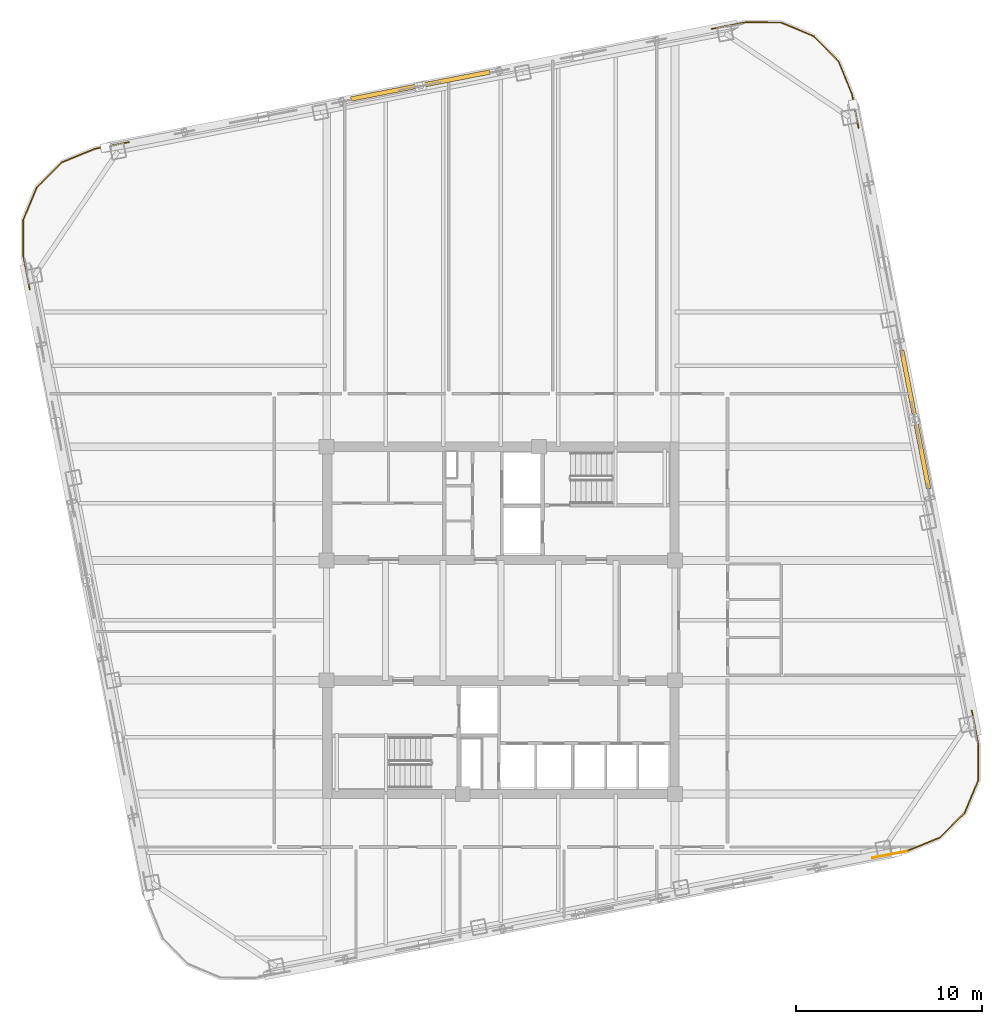
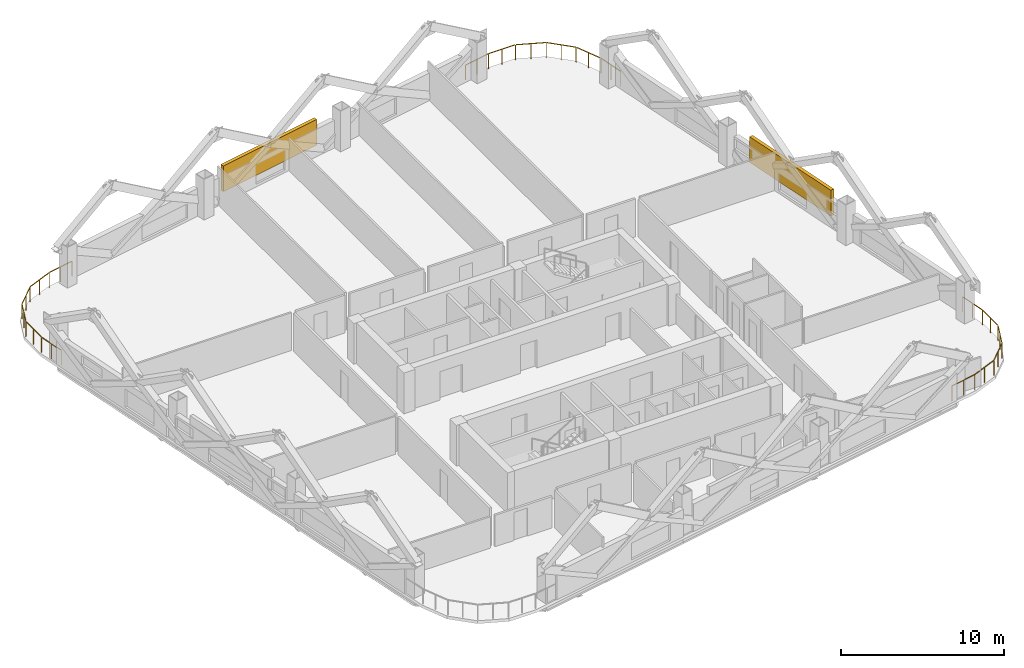
# One storey, part 10 of 10: 4 railings, 2 shading devices.
"""IFC4 building model written with IfcOpenShell, lengths in metres."""

from ifc_helpers import new_model, si_unit, direction, frame, origin, origin_2d, place, context, subcontext, project, spatial, rectangle, extrude, material, type_object, element, save


model = new_model("IFC4")

# Units and contexts
model_context = context("Model", 3, precision=1e-05, world=origin(), true_north=direction((0.0, 1.0)))
body_context = subcontext(model_context, "Body", "Model", "MODEL_VIEW")
ifc_project = project(units=[si_unit("LENGTHUNIT", "METRE"), si_unit("AREAUNIT", "SQUARE_METRE"), si_unit("VOLUMEUNIT", "CUBIC_METRE"), si_unit("PLANEANGLEUNIT", "RADIAN"), si_unit("MASSUNIT", "GRAM", prefix="KILO")], contexts=[model_context])

# Site, building, storey
site_placement = place(None, origin())
site = spatial("IfcSite", under=ifc_project, at=site_placement, CompositionType="ELEMENT")
building_placement = place(site_placement, origin())
building = spatial("IfcBuilding", under=site, at=building_placement, Name="Qhalaya Broadcast Tower", CompositionType="ELEMENT")
storey_placement = place(building_placement, frame((0.0, 0.0, 125.0)))
storey = spatial("IfcBuildingStorey", under=building, at=storey_placement, Name="L36", CompositionType="ELEMENT", Elevation=125.0)

# Railings
ifc_material_1 = material(Name="Powder-Coated Galvanised Steel", Category="steel")
railing_type = type_object("IfcRailingType", Name="Terrace, Sky-Pool & Lookout Glass Balustrade 1150", PredefinedType="BALUSTRADE", material=ifc_material_1)
railing_1_placement = place(storey_placement, frame((21.847412109375, -11.82861328125, 0.0)))
element("IfcRailing", 1, at=railing_1_placement, inside=storey, type_object=railing_type, Name="L36 Rounded Corner Perimeter Guard 01", PredefinedType="BALUSTRADE", context=body_context, shape_type="SweptSolid", body=[
    extrude(rectangle(XDim=0.048095703125, YDim=0.048095703125, at=origin_2d()), frame((0.0, 0.0, 1.1259765625), z_axis=(-0.981618812261, -0.190852056357, 0.0), x_axis=(0.190852056357, -0.981618812261, 0.0)), (0.0, 0.0, 1.0), 1.856201171875),
    extrude(rectangle(XDim=0.0419921875, YDim=0.0419921875, at=origin_2d()), origin(), (0.0, 0.0, 1.0), 1.099853515625),
    extrude(rectangle(XDim=0.0419921875, YDim=0.0419921875, at=origin_2d()), frame((-0.9111328125, -0.17724609375, 0.0)), (0.0, 0.0, 1.0), 1.099853515625),
    extrude(rectangle(XDim=0.0419921875, YDim=0.0419921875, at=origin_2d()), frame((-1.822021484375, -0.354248046875, 0.0)), (0.0, 0.0, 1.0), 1.099853515625),
])
railing_2_placement = place(storey_placement, frame((-25.36181640625, 18.43115234375, 0.0)))
element("IfcRailing", 2, at=railing_2_placement, inside=storey, type_object=railing_type, Name="L36 Rounded Corner Perimeter Guard 03", PredefinedType="BALUSTRADE", context=body_context, shape_type="SweptSolid", body=[
    extrude(rectangle(XDim=0.048095703125, YDim=0.048095703125, at=origin_2d()), frame((0.0, 0.0, 1.1259765625), z_axis=(-0.190827417864, 0.981623602299, 0.0), x_axis=(-0.981623602299, -0.190827417864, 0.0)), (0.0, 0.0, 1.0), 1.82763671875),
    extrude(rectangle(XDim=0.048095703125, YDim=0.048095703125, at=origin_2d()), frame((-0.35400390625, 1.85107421875, 1.1259765625), z_axis=(0.004334482484, 0.999990606087, 0.0), x_axis=(-0.999990606087, 0.004334482484, 0.0)), (0.0, 0.0, 1.0), 1.857421875),
    extrude(rectangle(XDim=0.048095703125, YDim=0.048095703125, at=origin_2d()), frame((-0.334716796875, 3.763916015625, 1.1259765625), z_axis=(0.386754828875, 0.922182575384, 0.0), x_axis=(-0.922182575384, 0.386754828875, 0.0)), (0.0, 0.0, 1.0), 1.845458984375),
    extrude(rectangle(XDim=0.048095703125, YDim=0.048095703125, at=origin_2d()), frame((0.41064453125, 5.5126953125, 1.1259765625), z_axis=(0.710178888649, 0.704021268228, 0.0), x_axis=(-0.704021268228, 0.710178888649, 0.0)), (0.0, 0.0, 1.0), 1.845458984375),
    extrude(rectangle(XDim=0.048095703125, YDim=0.048095703125, at=origin_2d()), frame((1.768310546875, 6.84326171875, 1.1259765625), z_axis=(0.92552055863, 0.378697366711, 0.0), x_axis=(-0.378697366711, 0.92552055863, 0.0)), (0.0, 0.0, 1.0), 1.857666015625),
    extrude(rectangle(XDim=0.048095703125, YDim=0.048095703125, at=origin_2d()), frame((3.542724609375, 7.563232421875, 1.1259765625), z_axis=(0.981643446311, 0.190725311155, 0.0), x_axis=(-0.190725311155, 0.981643446311, 0.0)), (0.0, 0.0, 1.0), 1.8271484375),
    extrude(rectangle(XDim=0.0419921875, YDim=0.0419921875, at=origin_2d()), origin(), (0.0, 0.0, 1.0), 1.099853515625),
    extrude(rectangle(XDim=0.0419921875, YDim=0.0419921875, at=origin_2d()), frame((-0.17724609375, 0.9111328125, 0.0)), (0.0, 0.0, 1.0), 1.099853515625),
    extrude(rectangle(XDim=0.0419921875, YDim=0.0419921875, at=origin_2d()), frame((-0.354248046875, 1.822265625, 0.0)), (0.0, 0.0, 1.0), 1.099853515625),
    extrude(rectangle(XDim=0.0419921875, YDim=0.0419921875, at=origin_2d()), frame((-0.35009765625, 2.77978515625, 0.0)), (0.0, 0.0, 1.0), 1.099853515625),
    extrude(rectangle(XDim=0.0419921875, YDim=0.0419921875, at=origin_2d()), frame((-0.345947265625, 3.7373046875, 0.0)), (0.0, 0.0, 1.0), 1.099853515625),
    extrude(rectangle(XDim=0.0419921875, YDim=0.0419921875, at=origin_2d()), frame((0.02197265625, 4.61474609375, 0.0)), (0.0, 0.0, 1.0), 1.099853515625),
    extrude(rectangle(XDim=0.0419921875, YDim=0.0419921875, at=origin_2d()), frame((0.39013671875, 5.492431640625, 0.0)), (0.0, 0.0, 1.0), 1.099853515625),
    extrude(rectangle(XDim=0.0419921875, YDim=0.0419921875, at=origin_2d()), frame((1.06591796875, 6.162353515625, 0.0)), (0.0, 0.0, 1.0), 1.099853515625),
    extrude(rectangle(XDim=0.0419921875, YDim=0.0419921875, at=origin_2d()), frame((1.74169921875, 6.832275390625, 0.0)), (0.0, 0.0, 1.0), 1.099853515625),
    extrude(rectangle(XDim=0.0419921875, YDim=0.0419921875, at=origin_2d()), frame((2.6279296875, 7.19482421875, 0.0)), (0.0, 0.0, 1.0), 1.099853515625),
    extrude(rectangle(XDim=0.0419921875, YDim=0.0419921875, at=origin_2d()), frame((3.514404296875, 7.5576171875, 0.0)), (0.0, 0.0, 1.0), 1.099853515625),
    extrude(rectangle(XDim=0.0419921875, YDim=0.0419921875, at=origin_2d()), frame((4.42529296875, 7.734619140625, 0.0)), (0.0, 0.0, 1.0), 1.099853515625),
    extrude(rectangle(XDim=0.0419921875, YDim=0.0419921875, at=origin_2d()), frame((5.33642578125, 7.91162109375, 0.0)), (0.0, 0.0, 1.0), 1.099853515625),
])
railing_3_placement = place(storey_placement, frame((11.351318359375, 32.44189453125, 0.0)))
element("IfcRailing", 3, at=railing_3_placement, inside=storey, type_object=railing_type, Name="L36 Rounded Corner Perimeter Guard 04", PredefinedType="BALUSTRADE", context=body_context, shape_type="SweptSolid", body=[
    extrude(rectangle(XDim=0.048095703125, YDim=0.048095703125, at=origin_2d()), frame((0.0, 0.0, 1.1259765625), z_axis=(0.981643446311, 0.190725311155, 0.0), x_axis=(-0.190725311155, 0.981643446311, 0.0)), (0.0, 0.0, 1.0), 1.8271484375),
    extrude(rectangle(XDim=0.048095703125, YDim=0.048095703125, at=origin_2d()), frame((1.850830078125, 0.353759765625, 1.1259765625), z_axis=(0.999990606087, -0.004334482484, 0.0), x_axis=(0.004334482484, 0.999990606087, 0.0)), (0.0, 0.0, 1.0), 1.857421875),
    extrude(rectangle(XDim=0.048095703125, YDim=0.048095703125, at=origin_2d()), frame((3.763671875, 0.33447265625, 1.1259765625), z_axis=(0.922247496545, -0.386599993684, 0.0), x_axis=(0.386599993684, 0.922247496545, 0.0)), (0.0, 0.0, 1.0), 1.845703125),
    extrude(rectangle(XDim=0.048095703125, YDim=0.048095703125, at=origin_2d()), frame((5.5126953125, -0.41064453125, 1.1259765625), z_axis=(0.704021268228, -0.710178888649, 0.0), x_axis=(0.710178888649, 0.704021268228, 0.0)), (0.0, 0.0, 1.0), 1.845458984375),
    extrude(rectangle(XDim=0.048095703125, YDim=0.048095703125, at=origin_2d()), frame((6.84326171875, -1.768310546875, 1.1259765625), z_axis=(0.378588174109, -0.925565229698, 0.0), x_axis=(0.925565229698, 0.378588174109, 0.0)), (0.0, 0.0, 1.0), 1.857666015625),
    extrude(rectangle(XDim=0.048095703125, YDim=0.048095703125, at=origin_2d()), frame((7.56298828125, -3.542724609375, 1.1259765625), z_axis=(0.190725311155, -0.981643446311, 0.0), x_axis=(0.981643446311, 0.190725311155, 0.0)), (0.0, 0.0, 1.0), 1.8271484375),
    extrude(rectangle(XDim=0.0419921875, YDim=0.0419921875, at=origin_2d()), origin(), (0.0, 0.0, 1.0), 1.099853515625),
    extrude(rectangle(XDim=0.0419921875, YDim=0.0419921875, at=origin_2d()), frame((0.9111328125, 0.177001953125, 0.0)), (0.0, 0.0, 1.0), 1.099853515625),
    extrude(rectangle(XDim=0.0419921875, YDim=0.0419921875, at=origin_2d()), frame((1.822021484375, 0.35400390625, 0.0)), (0.0, 0.0, 1.0), 1.099853515625),
    extrude(rectangle(XDim=0.0419921875, YDim=0.0419921875, at=origin_2d()), frame((2.779541015625, 0.349853515625, 0.0)), (0.0, 0.0, 1.0), 1.099853515625),
    extrude(rectangle(XDim=0.0419921875, YDim=0.0419921875, at=origin_2d()), frame((3.737060546875, 0.345703125, 0.0)), (0.0, 0.0, 1.0), 1.099853515625),
    extrude(rectangle(XDim=0.0419921875, YDim=0.0419921875, at=origin_2d()), frame((4.61474609375, -0.022216796875, 0.0)), (0.0, 0.0, 1.0), 1.099853515625),
    extrude(rectangle(XDim=0.0419921875, YDim=0.0419921875, at=origin_2d()), frame((5.492431640625, -0.39013671875, 0.0)), (0.0, 0.0, 1.0), 1.099853515625),
    extrude(rectangle(XDim=0.0419921875, YDim=0.0419921875, at=origin_2d()), frame((6.162353515625, -1.06591796875, 0.0)), (0.0, 0.0, 1.0), 1.099853515625),
    extrude(rectangle(XDim=0.0419921875, YDim=0.0419921875, at=origin_2d()), frame((6.832275390625, -1.74169921875, 0.0)), (0.0, 0.0, 1.0), 1.099853515625),
    extrude(rectangle(XDim=0.0419921875, YDim=0.0419921875, at=origin_2d()), frame((7.19482421875, -2.6279296875, 0.0)), (0.0, 0.0, 1.0), 1.099853515625),
    extrude(rectangle(XDim=0.0419921875, YDim=0.0419921875, at=origin_2d()), frame((7.557373046875, -3.514404296875, 0.0)), (0.0, 0.0, 1.0), 1.099853515625),
    extrude(rectangle(XDim=0.0419921875, YDim=0.0419921875, at=origin_2d()), frame((7.734375, -4.42529296875, 0.0)), (0.0, 0.0, 1.0), 1.099853515625),
    extrude(rectangle(XDim=0.0419921875, YDim=0.0419921875, at=origin_2d()), frame((7.911376953125, -5.33642578125, 0.0)), (0.0, 0.0, 1.0), 1.099853515625),
])
railing_4_placement = place(storey_placement, frame((25.36181640625, -4.271240234375, 0.0)))
element("IfcRailing", 4, at=railing_4_placement, inside=storey, type_object=railing_type, Name="L36 Rounded Corner Perimeter Guard 05", PredefinedType="BALUSTRADE", context=body_context, shape_type="SweptSolid", body=[
    extrude(rectangle(XDim=0.048095703125, YDim=0.048095703125, at=origin_2d()), frame((0.0, 0.0, 1.1259765625), z_axis=(0.190827417864, -0.981623602299, 0.0), x_axis=(0.981623602299, 0.190827417864, 0.0)), (0.0, 0.0, 1.0), 1.82763671875),
    extrude(rectangle(XDim=0.048095703125, YDim=0.048095703125, at=origin_2d()), frame((0.35400390625, -1.85107421875, 1.1259765625), z_axis=(-0.004334482484, -0.999990606087, 0.0), x_axis=(0.999990606087, -0.004334482484, 0.0)), (0.0, 0.0, 1.0), 1.857421875),
    extrude(rectangle(XDim=0.048095703125, YDim=0.048095703125, at=origin_2d()), frame((0.334716796875, -3.763916015625, 1.1259765625), z_axis=(-0.386754828875, -0.922182575384, 0.0), x_axis=(0.922182575384, -0.386754828875, 0.0)), (0.0, 0.0, 1.0), 1.845458984375),
    extrude(rectangle(XDim=0.048095703125, YDim=0.048095703125, at=origin_2d()), frame((-0.41064453125, -5.5126953125, 1.1259765625), z_axis=(-0.710178888649, -0.704021268228, 0.0), x_axis=(0.704021268228, -0.710178888649, 0.0)), (0.0, 0.0, 1.0), 1.845458984375),
    extrude(rectangle(XDim=0.048095703125, YDim=0.048095703125, at=origin_2d()), frame((-1.768310546875, -6.84326171875, 1.1259765625), z_axis=(-0.925565229698, -0.378588174109, 0.0), x_axis=(0.378588174109, -0.925565229698, 0.0)), (0.0, 0.0, 1.0), 1.886474609375),
    extrude(rectangle(XDim=0.0419921875, YDim=0.0419921875, at=origin_2d()), origin(), (0.0, 0.0, 1.0), 1.099853515625),
    extrude(rectangle(XDim=0.0419921875, YDim=0.0419921875, at=origin_2d()), frame((0.17724609375, -0.9111328125, 0.0)), (0.0, 0.0, 1.0), 1.099853515625),
    extrude(rectangle(XDim=0.0419921875, YDim=0.0419921875, at=origin_2d()), frame((0.354248046875, -1.822265625, 0.0)), (0.0, 0.0, 1.0), 1.099853515625),
    extrude(rectangle(XDim=0.0419921875, YDim=0.0419921875, at=origin_2d()), frame((0.35009765625, -2.77978515625, 0.0)), (0.0, 0.0, 1.0), 1.099853515625),
    extrude(rectangle(XDim=0.0419921875, YDim=0.0419921875, at=origin_2d()), frame((0.345947265625, -3.7373046875, 0.0)), (0.0, 0.0, 1.0), 1.099853515625),
    extrude(rectangle(XDim=0.0419921875, YDim=0.0419921875, at=origin_2d()), frame((-0.02197265625, -4.61474609375, 0.0)), (0.0, 0.0, 1.0), 1.099853515625),
    extrude(rectangle(XDim=0.0419921875, YDim=0.0419921875, at=origin_2d()), frame((-0.39013671875, -5.492431640625, 0.0)), (0.0, 0.0, 1.0), 1.099853515625),
    extrude(rectangle(XDim=0.0419921875, YDim=0.0419921875, at=origin_2d()), frame((-1.06591796875, -6.162353515625, 0.0)), (0.0, 0.0, 1.0), 1.099853515625),
    extrude(rectangle(XDim=0.0419921875, YDim=0.0419921875, at=origin_2d()), frame((-1.74169921875, -6.832275390625, 0.0)), (0.0, 0.0, 1.0), 1.099853515625),
    extrude(rectangle(XDim=0.0419921875, YDim=0.0419921875, at=origin_2d()), frame((-2.6279296875, -7.19482421875, 0.0)), (0.0, 0.0, 1.0), 1.099853515625),
    extrude(rectangle(XDim=0.0419921875, YDim=0.0419921875, at=origin_2d()), frame((-3.514404296875, -7.557373046875, 0.0)), (0.0, 0.0, 1.0), 1.099853515625),
])

# Shading devices
ifc_material_2 = material(Name="Fired Architectural Terracotta", Category="masonry")
shading_device_type = type_object("IfcShadingDeviceType", Name="Terracotta Baguette Solar Screen Assembly TBS-01", PredefinedType="USERDEFINED", material=ifc_material_2)
for number, where, z_axis, x_axis, name in (
    (5, (22.3125, 11.4169921875, 0.79248046875), (0.0, 0.0, 1.0), (-0.190808995377, 0.981627183448, 0.0), "L36 Fired Terracotta Baguette Screen E"),
    (6, (-4.337158203125, 29.392333984375, 0.79248046875), (0.0, 0.0, 1.0), (-0.981627183448, -0.190808995377, 0.0), "L36 Fired Terracotta Baguette Screen N"),
):
    element("IfcShadingDevice", number, at=place(storey_placement, frame(where, z_axis=z_axis, x_axis=x_axis)), inside=storey, type_object=shading_device_type, Name=name, ObjectType="BAGUETTE", PredefinedType="USERDEFINED", context=body_context, shape_type="SweptSolid", body=[
        extrude(rectangle(XDim=7.60009765625, YDim=0.239990234375, at=origin_2d()), origin(), (0.0, 0.0, 1.0), 1.924072265625),
    ])

save(model, "model.ifc")
